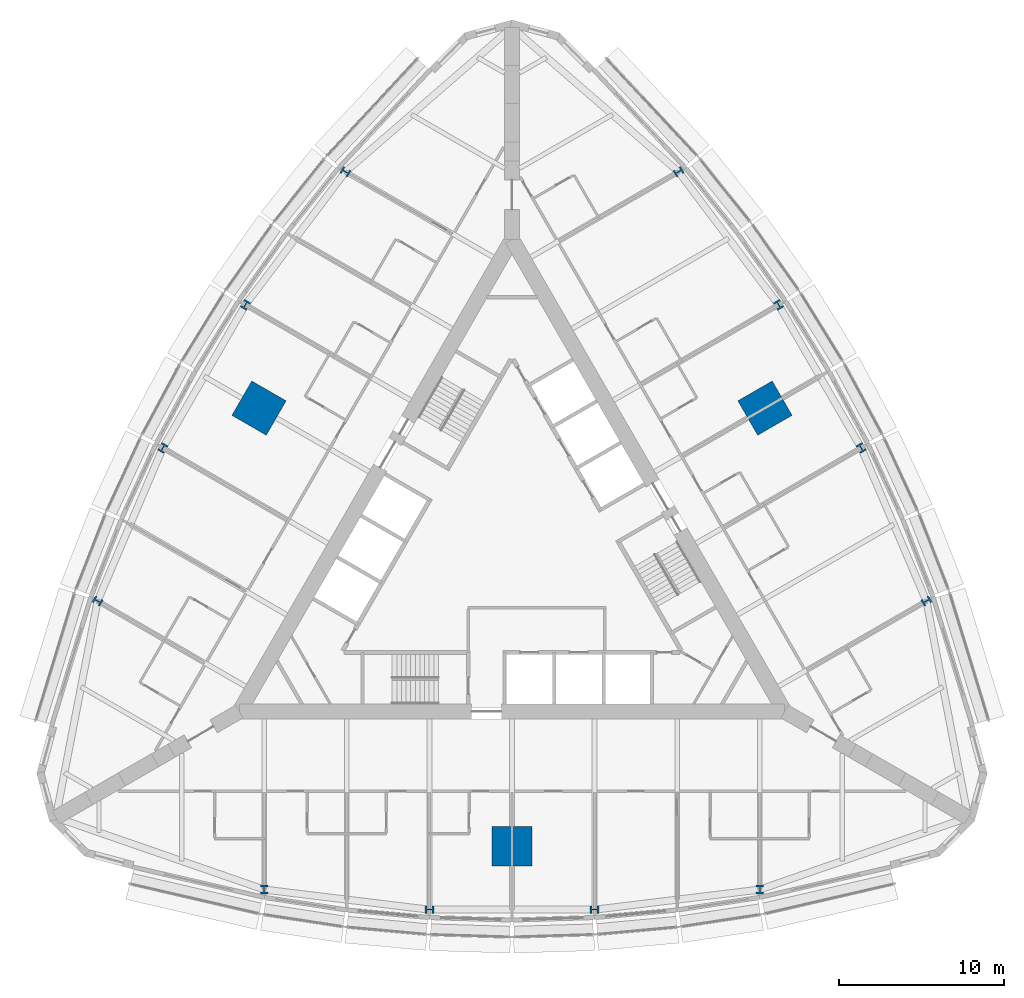
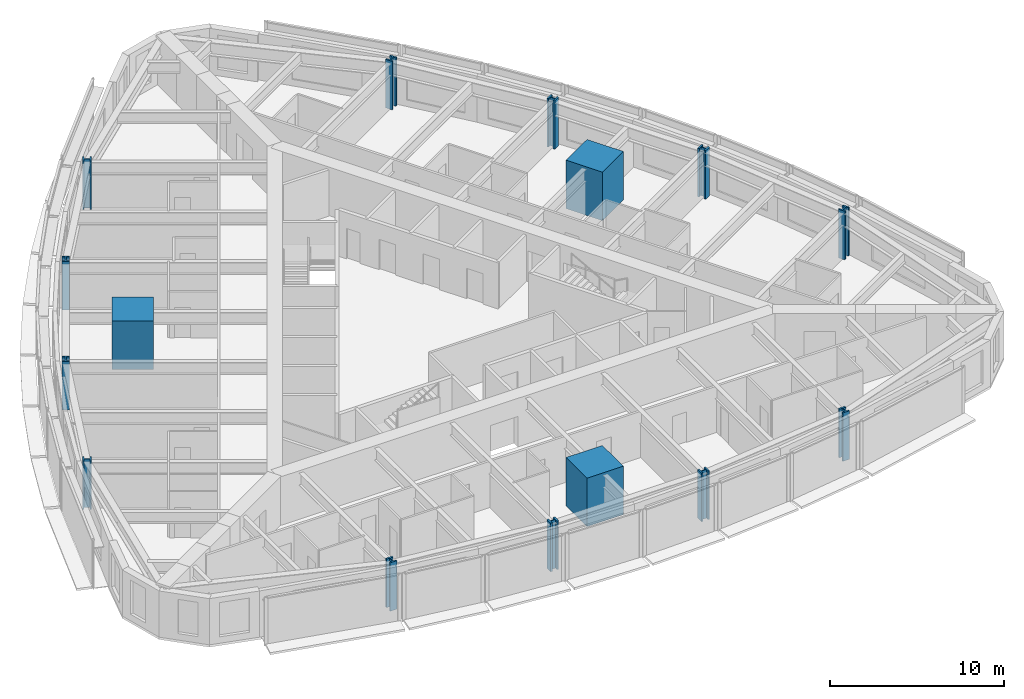
# One storey, part 1 of 14: 15 columns.
"""IFC4 building model written with IfcOpenShell, lengths in metres."""

from ifc_helpers import new_model, si_unit, direction, frame, origin, origin_2d, place, context, subcontext, project, spatial, rectangle, i_section, extrude, material, material_profile, profile_set, type_object, element, save


model = new_model("IFC4")

# Units and contexts
model_context = context("Model", 3, precision=1e-05, world=origin(), true_north=direction((0.0, 1.0)))
body_context = subcontext(model_context, "Body", "Model", "MODEL_VIEW")
ifc_project = project(units=[si_unit("LENGTHUNIT", "METRE"), si_unit("AREAUNIT", "SQUARE_METRE"), si_unit("VOLUMEUNIT", "CUBIC_METRE"), si_unit("PLANEANGLEUNIT", "RADIAN"), si_unit("MASSUNIT", "GRAM", prefix="KILO")], contexts=[model_context])

# Site, building, storey
site_placement = place(None, origin())
site = spatial("IfcSite", under=ifc_project, at=site_placement, CompositionType="ELEMENT")
building_placement = place(site_placement, origin())
building = spatial("IfcBuilding", under=site, at=building_placement, Name="Trikona Tower", CompositionType="ELEMENT")
storey_placement = place(building_placement, frame((0.0, 0.0, 59.10009765625)))
storey = spatial("IfcBuildingStorey", under=building, at=storey_placement, Name="L14", CompositionType="ELEMENT", Elevation=59.10009765625)

# Columns
ifc_material_1 = material(Name="Concrete f'c 10000 psi with encased steel section", Category="concrete")
ifc_material_profile_1 = material_profile(ifc_material_1, rectangle(XDim=2.39990234375, YDim=2.39990234375, at=origin_2d()), Name="MC2400")
ifc_profile_set_1 = profile_set([ifc_material_profile_1], Name="Concrete f'c 10000 psi with encased steel section")
column_type_1 = type_object("IfcColumnType", Name="Composite mega column 2400x2400", PredefinedType="COLUMN", material=ifc_profile_set_1)
for number, where, z_axis, x_axis, name in (
    (1, (0.0, -17.680419921875, 0.0), (0.0, 0.0, 1.0), (0.0, -1.0, 0.0), "Mega column MC1"),
    (2, (15.311767578125, 8.84033203125, 0.0), (0.0, 0.0, 1.0), (0.866025403784, 0.5, 0.0), "Mega column MC2"),
    (3, (-15.311767578125, 8.84033203125, 0.0), (0.0, 0.0, 1.0), (-0.866025403784, 0.5, 0.0), "Mega column MC3"),
):
    element("IfcColumn", number, at=place(storey_placement, frame(where, z_axis=z_axis, x_axis=x_axis)), inside=storey, type_object=column_type_1, Name=name, PredefinedType="COLUMN", context=body_context, shape_type="SweptSolid", body=[
        extrude(rectangle(XDim=2.39990234375, YDim=2.39990234375, at=origin_2d()), origin(), (0.0, 0.0, 1.0), 3.39990234375),
    ])
ifc_material_2 = material(Name="Steel ASTM A992 Grade 50", Category="steel")
ifc_material_profile_2 = material_profile(ifc_material_2, i_section(OverallWidth=0.44189453125, OverallDepth=0.53076171875, WebThickness=0.06591796875, FlangeThickness=0.105712890625, at=origin_2d()), Name="W14X605")
ifc_profile_set_2 = profile_set([ifc_material_profile_2], Name="Steel ASTM A992 Grade 50")
column_type_2 = type_object("IfcColumnType", Name="Steel column W14x605", PredefinedType="COLUMN", material=ifc_profile_set_2)
for number, where, z_axis, x_axis, name in (
    (4, (-15.0, -20.302978515625, 0.0), (0.0, 0.0, 1.0), (1.0, 0.0, 0.0), "Column F0m15"),
    (5, (-5.0, -21.5205078125, 0.0), (0.0, 0.0, 1.0), (0.0, -1.0, 0.0), "Column F0m5"),
    (6, (5.0, -21.5205078125, 0.0), (0.0, 0.0, 1.0), (0.0, -1.0, 0.0), "Column F0p5"),
    (7, (15.0, -20.302978515625, 0.0), (0.0, 0.0, 1.0), (1.0, 0.0, 0.0), "Column F0p15"),
    (8, (25.0830078125, -2.8388671875, 0.0), (0.0, 0.0, 1.0), (-0.5, 0.866025403784, 0.0), "Column F1m15"),
    (9, (21.13720703125, 6.43017578125, 0.0), (0.0, 0.0, 1.0), (0.866025403784, 0.5, 0.0), "Column F1m5"),
    (10, (16.13720703125, 15.09033203125, 0.0), (0.0, 0.0, 1.0), (0.866025403784, 0.5, 0.0), "Column F1p5"),
    (11, (10.0830078125, 23.141845703125, 0.0), (0.0, 0.0, 1.0), (-0.5, 0.866025403784, 0.0), "Column F1p15"),
    (12, (-10.0830078125, 23.141845703125, 0.0), (0.0, 0.0, 1.0), (-0.5, -0.866025403784, 0.0), "Column F2m15"),
    (13, (-16.13720703125, 15.09033203125, 0.0), (0.0, 0.0, 1.0), (-0.866025403784, 0.5, 0.0), "Column F2m5"),
    (14, (-21.13720703125, 6.43017578125, 0.0), (0.0, 0.0, 1.0), (-0.866025403784, 0.5, 0.0), "Column F2p5"),
    (15, (-25.0830078125, -2.8388671875, 0.0), (0.0, 0.0, 1.0), (-0.5, -0.866025403784, 0.0), "Column F2p15"),
):
    element("IfcColumn", number, at=place(storey_placement, frame(where, z_axis=z_axis, x_axis=x_axis)), inside=storey, type_object=column_type_2, Name=name, PredefinedType="COLUMN", context=body_context, shape_type="SweptSolid", body=[
        extrude(i_section(OverallWidth=0.44189453125, OverallDepth=0.53076171875, WebThickness=0.06591796875, FlangeThickness=0.105712890625, at=origin_2d()), origin(), (0.0, 0.0, 1.0), 3.39990234375),
    ])

save(model, "model.ifc")
